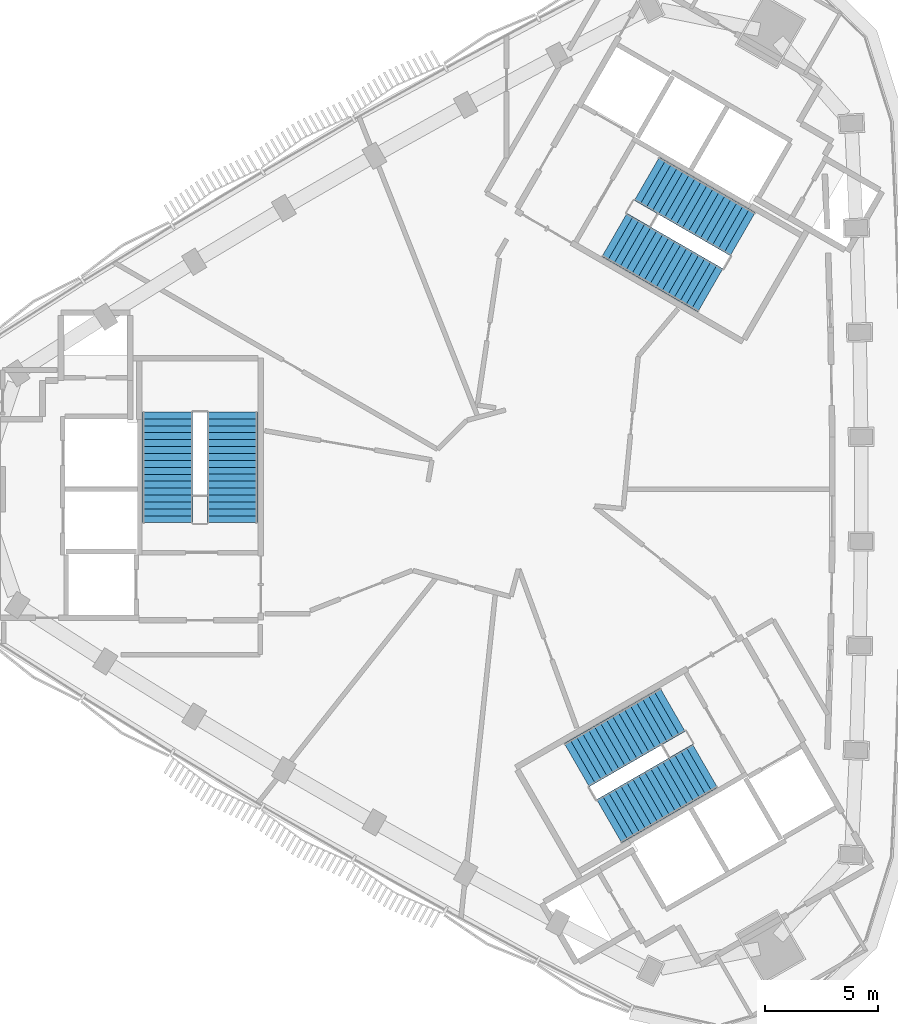
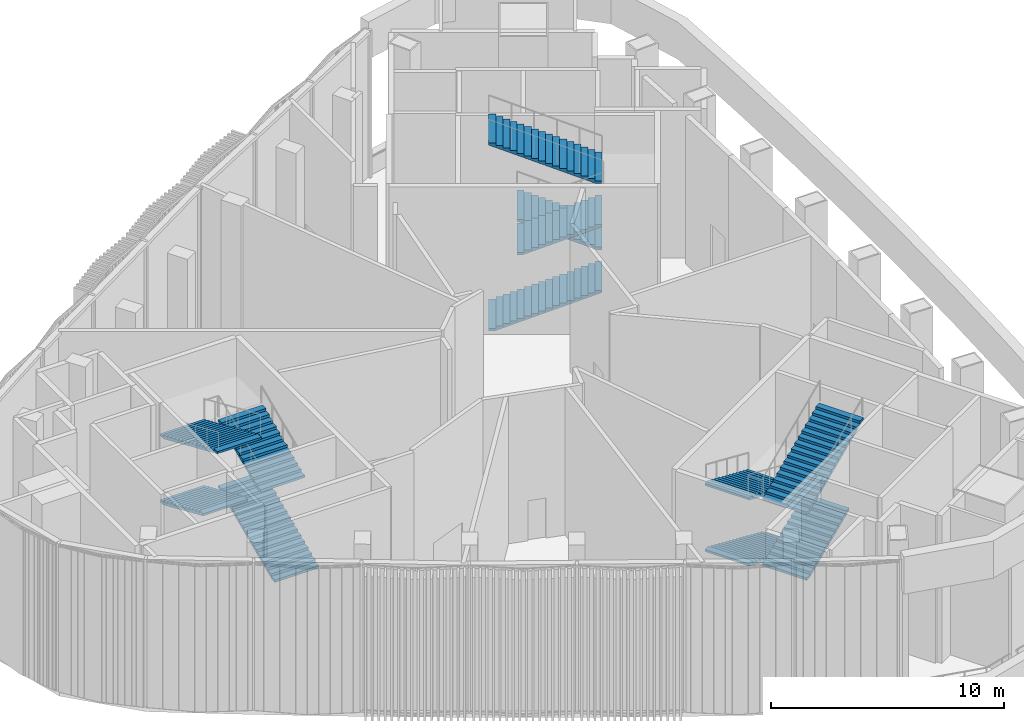
# One storey, part 6 of 11: 12 stair flights, 3 elements without a shape of their own.
"""IFC4 building model written with IfcOpenShell, lengths in metres."""

from ifc_helpers import new_model, si_unit, direction, frame, origin, place, context, subcontext, project, spatial, polyline, outline, extrude, material, type_object, element, aggregate, save


model = new_model("IFC4")

# Units and contexts
model_context = context("Model", 3, precision=1e-05, world=origin(), true_north=direction((0.0, 1.0)))
body_context = subcontext(model_context, "Body", "Model", "MODEL_VIEW")
ifc_project = project(units=[si_unit("LENGTHUNIT", "METRE"), si_unit("AREAUNIT", "SQUARE_METRE"), si_unit("VOLUMEUNIT", "CUBIC_METRE"), si_unit("PLANEANGLEUNIT", "RADIAN"), si_unit("MASSUNIT", "GRAM", prefix="KILO")], contexts=[model_context])

# Site, building, storey
site_placement = place(None, origin())
site = spatial("IfcSite", under=ifc_project, at=site_placement, CompositionType="ELEMENT")
building_placement = place(site_placement, origin())
building = spatial("IfcBuilding", under=site, at=building_placement, Name="Tamra Quay Hotel Tower", CompositionType="ELEMENT")
storey_placement = place(building_placement, frame((0.0, 0.0, 312.60009765625)))
storey = spatial("IfcBuildingStorey", under=building, at=storey_placement, Name="L78", CompositionType="ELEMENT", Elevation=312.60009765625)

# Stair, stair flights
ifc_material_1 = material(Name="Exit stair 2200 60 risers 133.3 going 305")
stair_type = type_object("IfcStairType", Name="Exit stair 2200 60 risers 133.3 going 305", PredefinedType="HALF_TURN_STAIR", material=ifc_material_1)
stair_1_placement = place(storey_placement, origin())
stair_1 = element("IfcStair", 1, at=stair_1_placement, inside=storey, type_object=stair_type, Name="L78 Exit stair ST3", PredefinedType="HALF_TURN_STAIR")
ifc_material_2 = material(Name="Exit stair flight 2200 17 risers 133.3")
stair_flight_type = type_object("IfcStairFlightType", Name="Exit stair flight 2200 17 risers 133.3", PredefinedType="STRAIGHT", material=ifc_material_2)
stair_flight_1_placement = place(storey_placement, frame((-12.082275390625, -1.47998046875, 0.0), z_axis=(0.0, 0.0, 1.0), x_axis=(0.0, 1.0, 0.0)))
stair_flight_1 = element("IfcStairFlight", 2, at=stair_flight_1_placement, type_object=stair_flight_type, Name="ST3 flight 1", NumberOfRisers=17, NumberOfTreads=16, PredefinedType="STRAIGHT", RiserHeight=0.133333333, TreadLength=0.305, context=body_context, shape_type="SweptSolid", body=[
    extrude(outline(polyline([(0.0, 0.0), (0.0, 0.13330078125), (0.304931640625, 0.13330078125), (0.304931640625, 0.2666015625), (0.610107421875, 0.2666015625), (0.610107421875, 0.39990234375), (0.9150390625, 0.39990234375), (0.9150390625, 0.533447265625), (1.219970703125, 0.533447265625), (1.219970703125, 0.666748046875), (1.52490234375, 0.666748046875), (1.52490234375, 0.800048828125), (1.830078125, 0.800048828125), (1.830078125, 0.933349609375), (2.135009765625, 0.933349609375), (2.135009765625, 1.066650390625), (2.43994140625, 1.066650390625), (2.43994140625, 1.199951171875), (2.7451171875, 1.199951171875), (2.7451171875, 1.333251953125), (3.050048828125, 1.333251953125), (3.050048828125, 1.466552734375), (3.35498046875, 1.466552734375), (3.35498046875, 1.60009765625), (3.659912109375, 1.60009765625), (3.659912109375, 1.7333984375), (3.965087890625, 1.7333984375), (3.965087890625, 1.86669921875), (4.27001953125, 1.86669921875), (4.27001953125, 2.0), (4.574951171875, 2.0), (4.574951171875, 2.13330078125), (4.8798828125, 2.13330078125), (4.8798828125, 2.2666015625), (4.8798828125, 2.024169921875), (0.25, 0.0), (0.0, 0.0)])), frame((0.0, 1.10009765625, 0.0), z_axis=(0.0, -1.0, 0.0), x_axis=(1.0, 0.0, 0.0)), (0.0, 0.0, 1.0), 2.199951171875),
])
stair_flight_2_placement = place(storey_placement, frame((-14.94140625, 3.39990234375, 2.2666015625), z_axis=(0.0, 0.0, 1.0), x_axis=(0.0, -1.0, 0.0)))
stair_flight_2 = element("IfcStairFlight", 3, at=stair_flight_2_placement, type_object=stair_flight_type, Name="ST3 flight 2", NumberOfRisers=13, NumberOfTreads=12, PredefinedType="STRAIGHT", RiserHeight=0.133333333, TreadLength=0.305, context=body_context, shape_type="SweptSolid", body=[
    extrude(outline(polyline([(0.0, 0.0), (0.0, 0.13330078125), (0.304931640625, 0.13330078125), (0.304931640625, 0.2666015625), (0.610107421875, 0.2666015625), (0.610107421875, 0.39990234375), (0.9150390625, 0.39990234375), (0.9150390625, 0.533447265625), (1.219970703125, 0.533447265625), (1.219970703125, 0.666748046875), (1.52490234375, 0.666748046875), (1.52490234375, 0.800048828125), (1.830078125, 0.800048828125), (1.830078125, 0.933349609375), (2.135009765625, 0.933349609375), (2.135009765625, 1.066650390625), (2.43994140625, 1.066650390625), (2.43994140625, 1.199951171875), (2.7451171875, 1.199951171875), (2.7451171875, 1.333251953125), (3.050048828125, 1.333251953125), (3.050048828125, 1.466552734375), (3.35498046875, 1.466552734375), (3.35498046875, 1.60009765625), (3.659912109375, 1.60009765625), (3.659912109375, 1.7333984375), (3.659912109375, 1.49072265625), (0.25, 0.0), (0.0, 0.0)])), frame((0.0, 1.10009765625, 0.0), z_axis=(0.0, -1.0, 0.0), x_axis=(1.0, 0.0, 0.0)), (0.0, 0.0, 1.0), 2.199951171875),
])
stair_flight_3_placement = place(storey_placement, frame((-12.082275390625, -0.260009765625, 4.0), z_axis=(0.0, 0.0, 1.0), x_axis=(0.0, 1.0, 0.0)))
stair_flight_3 = element("IfcStairFlight", 4, at=stair_flight_3_placement, type_object=stair_flight_type, Name="ST3 flight 3", NumberOfRisers=13, NumberOfTreads=12, PredefinedType="STRAIGHT", RiserHeight=0.133333333, TreadLength=0.305, context=body_context, shape_type="SweptSolid", body=[
    extrude(outline(polyline([(0.0, 0.0), (0.0, 0.13330078125), (0.304931640625, 0.13330078125), (0.304931640625, 0.2666015625), (0.610107421875, 0.2666015625), (0.610107421875, 0.39990234375), (0.9150390625, 0.39990234375), (0.9150390625, 0.533447265625), (1.219970703125, 0.533447265625), (1.219970703125, 0.666748046875), (1.52490234375, 0.666748046875), (1.52490234375, 0.800048828125), (1.830078125, 0.800048828125), (1.830078125, 0.933349609375), (2.135009765625, 0.933349609375), (2.135009765625, 1.066650390625), (2.43994140625, 1.066650390625), (2.43994140625, 1.199951171875), (2.7451171875, 1.199951171875), (2.7451171875, 1.333251953125), (3.050048828125, 1.333251953125), (3.050048828125, 1.466552734375), (3.35498046875, 1.466552734375), (3.35498046875, 1.60009765625), (3.659912109375, 1.60009765625), (3.659912109375, 1.7333984375), (3.659912109375, 1.49072265625), (0.25, 0.0), (0.0, 0.0)])), frame((0.0, 1.10009765625, 0.0), z_axis=(0.0, -1.0, 0.0), x_axis=(1.0, 0.0, 0.0)), (0.0, 0.0, 1.0), 2.199951171875),
])
stair_flight_4_placement = place(storey_placement, frame((-14.94140625, 3.39990234375, 5.733154296875), z_axis=(0.0, 0.0, 1.0), x_axis=(0.0, -1.0, 0.0)))
stair_flight_4 = element("IfcStairFlight", 5, at=stair_flight_4_placement, type_object=stair_flight_type, Name="ST3 flight 4", NumberOfRisers=17, NumberOfTreads=16, PredefinedType="STRAIGHT", RiserHeight=0.133333333, TreadLength=0.305, context=body_context, shape_type="SweptSolid", body=[
    extrude(outline(polyline([(0.0, 0.0), (0.0, 0.13330078125), (0.304931640625, 0.13330078125), (0.304931640625, 0.2666015625), (0.610107421875, 0.2666015625), (0.610107421875, 0.39990234375), (0.9150390625, 0.39990234375), (0.9150390625, 0.533447265625), (1.219970703125, 0.533447265625), (1.219970703125, 0.666748046875), (1.52490234375, 0.666748046875), (1.52490234375, 0.800048828125), (1.830078125, 0.800048828125), (1.830078125, 0.933349609375), (2.135009765625, 0.933349609375), (2.135009765625, 1.066650390625), (2.43994140625, 1.066650390625), (2.43994140625, 1.199951171875), (2.7451171875, 1.199951171875), (2.7451171875, 1.333251953125), (3.050048828125, 1.333251953125), (3.050048828125, 1.466552734375), (3.35498046875, 1.466552734375), (3.35498046875, 1.60009765625), (3.659912109375, 1.60009765625), (3.659912109375, 1.7333984375), (3.965087890625, 1.7333984375), (3.965087890625, 1.86669921875), (4.27001953125, 1.86669921875), (4.27001953125, 2.0), (4.574951171875, 2.0), (4.574951171875, 2.13330078125), (4.8798828125, 2.13330078125), (4.8798828125, 2.2666015625), (4.8798828125, 2.024169921875), (0.25, 0.0), (0.0, 0.0)])), frame((0.0, 1.10009765625, 0.0), z_axis=(0.0, -1.0, 0.0), x_axis=(1.0, 0.0, 0.0)), (0.0, 0.0, 1.0), 2.199951171875),
])
aggregate(stair_1, [stair_flight_1, stair_flight_2, stair_flight_3, stair_flight_4])

stair_2_placement = place(storey_placement, origin())
stair_2 = element("IfcStair", 6, at=stair_2_placement, inside=storey, type_object=stair_type, Name="L78 Exit stair ST1", PredefinedType="HALF_TURN_STAIR")
stair_flight_5_placement = place(storey_placement, frame((4.75927734375, 11.20361328125, 0.0), z_axis=(0.0, 0.0, 1.0), x_axis=(0.866025403784, -0.5, 0.0)))
stair_flight_5 = element("IfcStairFlight", 7, at=stair_flight_5_placement, type_object=stair_flight_type, Name="ST1 flight 1", NumberOfRisers=17, NumberOfTreads=16, PredefinedType="STRAIGHT", RiserHeight=0.133333333, TreadLength=0.305, context=body_context, shape_type="SweptSolid", body=[
    extrude(outline(polyline([(0.0, 0.0), (0.0, 0.13330078125), (0.304931640625, 0.13330078125), (0.304931640625, 0.2666015625), (0.610107421875, 0.2666015625), (0.610107421875, 0.39990234375), (0.9150390625, 0.39990234375), (0.9150390625, 0.533447265625), (1.219970703125, 0.533447265625), (1.219970703125, 0.666748046875), (1.52490234375, 0.666748046875), (1.52490234375, 0.800048828125), (1.830078125, 0.800048828125), (1.830078125, 0.933349609375), (2.135009765625, 0.933349609375), (2.135009765625, 1.066650390625), (2.43994140625, 1.066650390625), (2.43994140625, 1.199951171875), (2.7451171875, 1.199951171875), (2.7451171875, 1.333251953125), (3.050048828125, 1.333251953125), (3.050048828125, 1.466552734375), (3.35498046875, 1.466552734375), (3.35498046875, 1.60009765625), (3.659912109375, 1.60009765625), (3.659912109375, 1.7333984375), (3.965087890625, 1.7333984375), (3.965087890625, 1.86669921875), (4.27001953125, 1.86669921875), (4.27001953125, 2.0), (4.574951171875, 2.0), (4.574951171875, 2.13330078125), (4.8798828125, 2.13330078125), (4.8798828125, 2.2666015625), (4.8798828125, 2.024169921875), (0.25, 0.0), (0.0, 0.0)])), frame((0.0, 1.10009765625, 0.0), z_axis=(0.0, -1.0, 0.0), x_axis=(1.0, 0.0, 0.0)), (0.0, 0.0, 1.0), 2.199951171875),
])
stair_flight_6_placement = place(storey_placement, frame((10.4150390625, 11.239501953125, 2.2666015625), z_axis=(0.0, 0.0, 1.0), x_axis=(-0.866025403784, 0.5, 0.0)))
stair_flight_6 = element("IfcStairFlight", 8, at=stair_flight_6_placement, type_object=stair_flight_type, Name="ST1 flight 2", NumberOfRisers=13, NumberOfTreads=12, PredefinedType="STRAIGHT", RiserHeight=0.133333333, TreadLength=0.305, context=body_context, shape_type="SweptSolid", body=[
    extrude(outline(polyline([(0.0, 0.0), (0.0, 0.13330078125), (0.304931640625, 0.13330078125), (0.304931640625, 0.2666015625), (0.610107421875, 0.2666015625), (0.610107421875, 0.39990234375), (0.9150390625, 0.39990234375), (0.9150390625, 0.533447265625), (1.219970703125, 0.533447265625), (1.219970703125, 0.666748046875), (1.52490234375, 0.666748046875), (1.52490234375, 0.800048828125), (1.830078125, 0.800048828125), (1.830078125, 0.933349609375), (2.135009765625, 0.933349609375), (2.135009765625, 1.066650390625), (2.43994140625, 1.066650390625), (2.43994140625, 1.199951171875), (2.7451171875, 1.199951171875), (2.7451171875, 1.333251953125), (3.050048828125, 1.333251953125), (3.050048828125, 1.466552734375), (3.35498046875, 1.466552734375), (3.35498046875, 1.60009765625), (3.659912109375, 1.60009765625), (3.659912109375, 1.7333984375), (3.659912109375, 1.49072265625), (0.25, 0.0), (0.0, 0.0)])), frame((0.0, 1.10009765625, 0.0), z_axis=(0.0, -1.0, 0.0), x_axis=(1.0, 0.0, 0.0)), (0.0, 0.0, 1.0), 2.199951171875),
])
stair_flight_7_placement = place(storey_placement, frame((5.81591796875, 10.593505859375, 4.0), z_axis=(0.0, 0.0, 1.0), x_axis=(0.866025403784, -0.5, 0.0)))
stair_flight_7 = element("IfcStairFlight", 9, at=stair_flight_7_placement, type_object=stair_flight_type, Name="ST1 flight 3", NumberOfRisers=13, NumberOfTreads=12, PredefinedType="STRAIGHT", RiserHeight=0.133333333, TreadLength=0.305, context=body_context, shape_type="SweptSolid", body=[
    extrude(outline(polyline([(0.0, 0.0), (0.0, 0.13330078125), (0.304931640625, 0.13330078125), (0.304931640625, 0.2666015625), (0.610107421875, 0.2666015625), (0.610107421875, 0.39990234375), (0.9150390625, 0.39990234375), (0.9150390625, 0.533447265625), (1.219970703125, 0.533447265625), (1.219970703125, 0.666748046875), (1.52490234375, 0.666748046875), (1.52490234375, 0.800048828125), (1.830078125, 0.800048828125), (1.830078125, 0.933349609375), (2.135009765625, 0.933349609375), (2.135009765625, 1.066650390625), (2.43994140625, 1.066650390625), (2.43994140625, 1.199951171875), (2.7451171875, 1.199951171875), (2.7451171875, 1.333251953125), (3.050048828125, 1.333251953125), (3.050048828125, 1.466552734375), (3.35498046875, 1.466552734375), (3.35498046875, 1.60009765625), (3.659912109375, 1.60009765625), (3.659912109375, 1.7333984375), (3.659912109375, 1.49072265625), (0.25, 0.0), (0.0, 0.0)])), frame((0.0, 1.10009765625, 0.0), z_axis=(0.0, -1.0, 0.0), x_axis=(1.0, 0.0, 0.0)), (0.0, 0.0, 1.0), 2.199951171875),
])
stair_flight_8_placement = place(storey_placement, frame((10.4150390625, 11.239501953125, 5.733154296875), z_axis=(0.0, 0.0, 1.0), x_axis=(-0.866025403784, 0.5, 0.0)))
stair_flight_8 = element("IfcStairFlight", 10, at=stair_flight_8_placement, type_object=stair_flight_type, Name="ST1 flight 4", NumberOfRisers=17, NumberOfTreads=16, PredefinedType="STRAIGHT", RiserHeight=0.133333333, TreadLength=0.305, context=body_context, shape_type="SweptSolid", body=[
    extrude(outline(polyline([(0.0, 0.0), (0.0, 0.13330078125), (0.304931640625, 0.13330078125), (0.304931640625, 0.2666015625), (0.610107421875, 0.2666015625), (0.610107421875, 0.39990234375), (0.9150390625, 0.39990234375), (0.9150390625, 0.533447265625), (1.219970703125, 0.533447265625), (1.219970703125, 0.666748046875), (1.52490234375, 0.666748046875), (1.52490234375, 0.800048828125), (1.830078125, 0.800048828125), (1.830078125, 0.933349609375), (2.135009765625, 0.933349609375), (2.135009765625, 1.066650390625), (2.43994140625, 1.066650390625), (2.43994140625, 1.199951171875), (2.7451171875, 1.199951171875), (2.7451171875, 1.333251953125), (3.050048828125, 1.333251953125), (3.050048828125, 1.466552734375), (3.35498046875, 1.466552734375), (3.35498046875, 1.60009765625), (3.659912109375, 1.60009765625), (3.659912109375, 1.7333984375), (3.965087890625, 1.7333984375), (3.965087890625, 1.86669921875), (4.27001953125, 1.86669921875), (4.27001953125, 2.0), (4.574951171875, 2.0), (4.574951171875, 2.13330078125), (4.8798828125, 2.13330078125), (4.8798828125, 2.2666015625), (4.8798828125, 2.024169921875), (0.25, 0.0), (0.0, 0.0)])), frame((0.0, 1.10009765625, 0.0), z_axis=(0.0, -1.0, 0.0), x_axis=(1.0, 0.0, 0.0)), (0.0, 0.0, 1.0), 2.199951171875),
])
aggregate(stair_2, [stair_flight_5, stair_flight_6, stair_flight_7, stair_flight_8])

stair_3_placement = place(storey_placement, origin())
stair_3 = element("IfcStair", 11, at=stair_3_placement, inside=storey, type_object=stair_type, Name="L78 Exit stair ST2", PredefinedType="HALF_TURN_STAIR")
stair_flight_9_placement = place(storey_placement, frame((7.322998046875, -9.7236328125, 0.0), z_axis=(0.0, 0.0, 1.0), x_axis=(-0.866025403784, -0.5, 0.0)))
stair_flight_9 = element("IfcStairFlight", 12, at=stair_flight_9_placement, type_object=stair_flight_type, Name="ST2 flight 1", NumberOfRisers=17, NumberOfTreads=16, PredefinedType="STRAIGHT", RiserHeight=0.133333333, TreadLength=0.305, context=body_context, shape_type="SweptSolid", body=[
    extrude(outline(polyline([(0.0, 0.0), (0.0, 0.13330078125), (0.304931640625, 0.13330078125), (0.304931640625, 0.2666015625), (0.610107421875, 0.2666015625), (0.610107421875, 0.39990234375), (0.9150390625, 0.39990234375), (0.9150390625, 0.533447265625), (1.219970703125, 0.533447265625), (1.219970703125, 0.666748046875), (1.52490234375, 0.666748046875), (1.52490234375, 0.800048828125), (1.830078125, 0.800048828125), (1.830078125, 0.933349609375), (2.135009765625, 0.933349609375), (2.135009765625, 1.066650390625), (2.43994140625, 1.066650390625), (2.43994140625, 1.199951171875), (2.7451171875, 1.199951171875), (2.7451171875, 1.333251953125), (3.050048828125, 1.333251953125), (3.050048828125, 1.466552734375), (3.35498046875, 1.466552734375), (3.35498046875, 1.60009765625), (3.659912109375, 1.60009765625), (3.659912109375, 1.7333984375), (3.965087890625, 1.7333984375), (3.965087890625, 1.86669921875), (4.27001953125, 1.86669921875), (4.27001953125, 2.0), (4.574951171875, 2.0), (4.574951171875, 2.13330078125), (4.8798828125, 2.13330078125), (4.8798828125, 2.2666015625), (4.8798828125, 2.024169921875), (0.25, 0.0), (0.0, 0.0)])), frame((0.0, 1.10009765625, 0.0), z_axis=(0.0, -1.0, 0.0), x_axis=(1.0, 0.0, 0.0)), (0.0, 0.0, 1.0), 2.199951171875),
])
stair_flight_10_placement = place(storey_placement, frame((4.526123046875, -14.639404296875, 2.2666015625), z_axis=(0.0, 0.0, 1.0), x_axis=(0.866025403784, 0.5, 0.0)))
stair_flight_10 = element("IfcStairFlight", 13, at=stair_flight_10_placement, type_object=stair_flight_type, Name="ST2 flight 2", NumberOfRisers=13, NumberOfTreads=12, PredefinedType="STRAIGHT", RiserHeight=0.133333333, TreadLength=0.305, context=body_context, shape_type="SweptSolid", body=[
    extrude(outline(polyline([(0.0, 0.0), (0.0, 0.13330078125), (0.304931640625, 0.13330078125), (0.304931640625, 0.2666015625), (0.610107421875, 0.2666015625), (0.610107421875, 0.39990234375), (0.9150390625, 0.39990234375), (0.9150390625, 0.533447265625), (1.219970703125, 0.533447265625), (1.219970703125, 0.666748046875), (1.52490234375, 0.666748046875), (1.52490234375, 0.800048828125), (1.830078125, 0.800048828125), (1.830078125, 0.933349609375), (2.135009765625, 0.933349609375), (2.135009765625, 1.066650390625), (2.43994140625, 1.066650390625), (2.43994140625, 1.199951171875), (2.7451171875, 1.199951171875), (2.7451171875, 1.333251953125), (3.050048828125, 1.333251953125), (3.050048828125, 1.466552734375), (3.35498046875, 1.466552734375), (3.35498046875, 1.60009765625), (3.659912109375, 1.60009765625), (3.659912109375, 1.7333984375), (3.659912109375, 1.49072265625), (0.25, 0.0), (0.0, 0.0)])), frame((0.0, 1.10009765625, 0.0), z_axis=(0.0, -1.0, 0.0), x_axis=(1.0, 0.0, 0.0)), (0.0, 0.0, 1.0), 2.199951171875),
])
stair_flight_11_placement = place(storey_placement, frame((6.266357421875, -10.33349609375, 4.0), z_axis=(0.0, 0.0, 1.0), x_axis=(-0.866025403784, -0.5, 0.0)))
stair_flight_11 = element("IfcStairFlight", 14, at=stair_flight_11_placement, type_object=stair_flight_type, Name="ST2 flight 3", NumberOfRisers=13, NumberOfTreads=12, PredefinedType="STRAIGHT", RiserHeight=0.133333333, TreadLength=0.305, context=body_context, shape_type="SweptSolid", body=[
    extrude(outline(polyline([(0.0, 0.0), (0.0, 0.13330078125), (0.304931640625, 0.13330078125), (0.304931640625, 0.2666015625), (0.610107421875, 0.2666015625), (0.610107421875, 0.39990234375), (0.9150390625, 0.39990234375), (0.9150390625, 0.533447265625), (1.219970703125, 0.533447265625), (1.219970703125, 0.666748046875), (1.52490234375, 0.666748046875), (1.52490234375, 0.800048828125), (1.830078125, 0.800048828125), (1.830078125, 0.933349609375), (2.135009765625, 0.933349609375), (2.135009765625, 1.066650390625), (2.43994140625, 1.066650390625), (2.43994140625, 1.199951171875), (2.7451171875, 1.199951171875), (2.7451171875, 1.333251953125), (3.050048828125, 1.333251953125), (3.050048828125, 1.466552734375), (3.35498046875, 1.466552734375), (3.35498046875, 1.60009765625), (3.659912109375, 1.60009765625), (3.659912109375, 1.7333984375), (3.659912109375, 1.49072265625), (0.25, 0.0), (0.0, 0.0)])), frame((0.0, 1.10009765625, 0.0), z_axis=(0.0, -1.0, 0.0), x_axis=(1.0, 0.0, 0.0)), (0.0, 0.0, 1.0), 2.199951171875),
])
stair_flight_12_placement = place(storey_placement, frame((4.526123046875, -14.639404296875, 5.733154296875), z_axis=(0.0, 0.0, 1.0), x_axis=(0.866025403784, 0.5, 0.0)))
stair_flight_12 = element("IfcStairFlight", 15, at=stair_flight_12_placement, type_object=stair_flight_type, Name="ST2 flight 4", NumberOfRisers=17, NumberOfTreads=16, PredefinedType="STRAIGHT", RiserHeight=0.133333333, TreadLength=0.305, context=body_context, shape_type="SweptSolid", body=[
    extrude(outline(polyline([(0.0, 0.0), (0.0, 0.13330078125), (0.304931640625, 0.13330078125), (0.304931640625, 0.2666015625), (0.610107421875, 0.2666015625), (0.610107421875, 0.39990234375), (0.9150390625, 0.39990234375), (0.9150390625, 0.533447265625), (1.219970703125, 0.533447265625), (1.219970703125, 0.666748046875), (1.52490234375, 0.666748046875), (1.52490234375, 0.800048828125), (1.830078125, 0.800048828125), (1.830078125, 0.933349609375), (2.135009765625, 0.933349609375), (2.135009765625, 1.066650390625), (2.43994140625, 1.066650390625), (2.43994140625, 1.199951171875), (2.7451171875, 1.199951171875), (2.7451171875, 1.333251953125), (3.050048828125, 1.333251953125), (3.050048828125, 1.466552734375), (3.35498046875, 1.466552734375), (3.35498046875, 1.60009765625), (3.659912109375, 1.60009765625), (3.659912109375, 1.7333984375), (3.965087890625, 1.7333984375), (3.965087890625, 1.86669921875), (4.27001953125, 1.86669921875), (4.27001953125, 2.0), (4.574951171875, 2.0), (4.574951171875, 2.13330078125), (4.8798828125, 2.13330078125), (4.8798828125, 2.2666015625), (4.8798828125, 2.024169921875), (0.25, 0.0), (0.0, 0.0)])), frame((0.0, 1.10009765625, 0.0), z_axis=(0.0, -1.0, 0.0), x_axis=(1.0, 0.0, 0.0)), (0.0, 0.0, 1.0), 2.199951171875),
])
aggregate(stair_3, [stair_flight_9, stair_flight_10, stair_flight_11, stair_flight_12])

save(model, "model.ifc")
